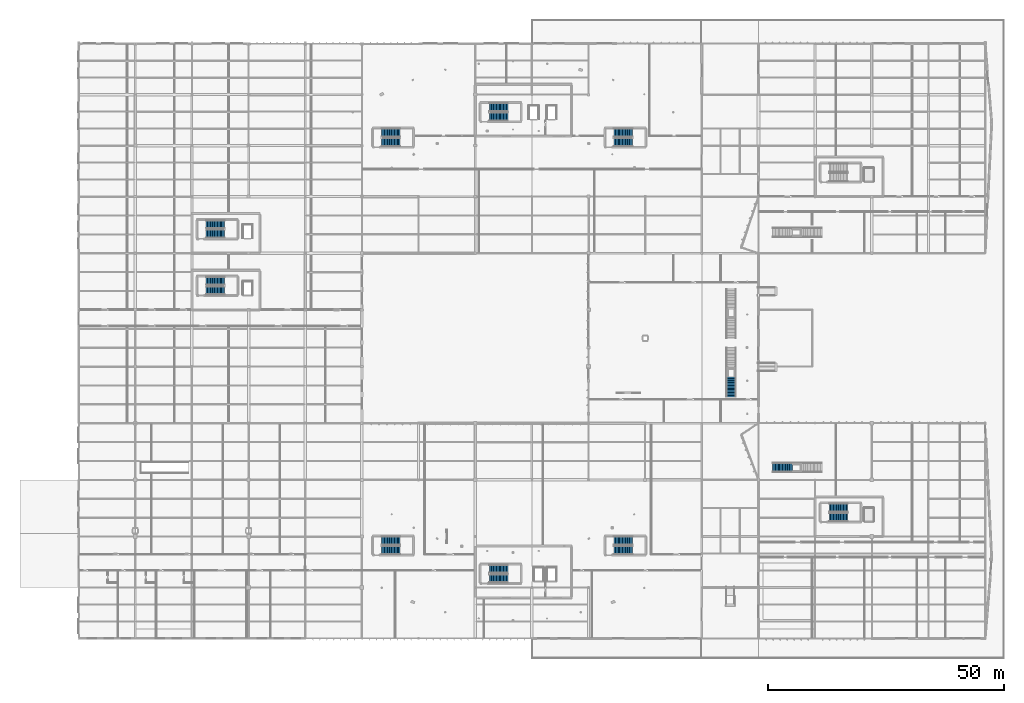
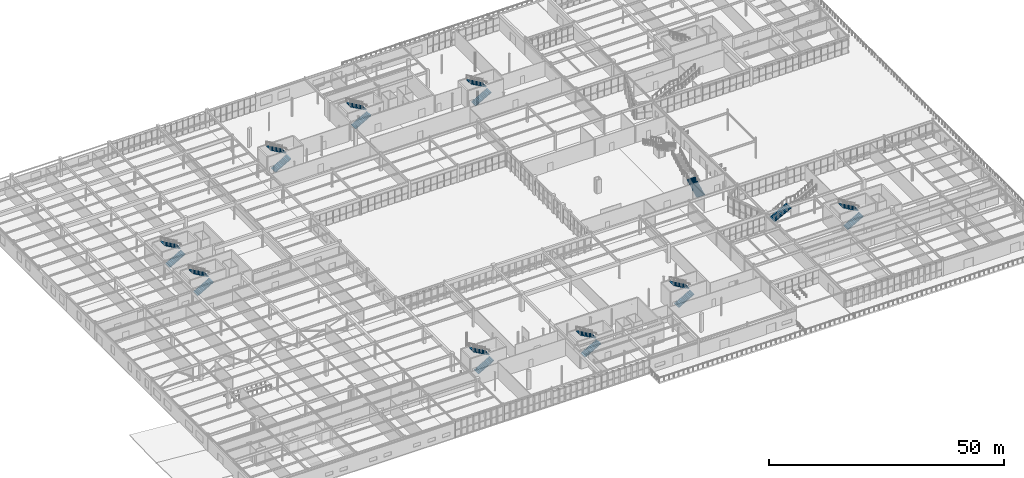
# One storey, part 174 of 199: 20 stair flights, 11 elements without a shape of their own.
"""IFC4 building model written with IfcOpenShell, lengths in metres."""

from ifc_helpers import new_model, si_unit, direction, frame, origin, place, context, subcontext, project, spatial, polyline, outline, extrude, material, type_object, element, aggregate, save


model = new_model("IFC4")

# Units and contexts
model_context = context("Model", 3, precision=1e-05, world=origin(), true_north=direction((0.0, 1.0)))
body_context = subcontext(model_context, "Body", "Model", "MODEL_VIEW")
ifc_project = project(units=[si_unit("LENGTHUNIT", "METRE"), si_unit("AREAUNIT", "SQUARE_METRE"), si_unit("VOLUMEUNIT", "CUBIC_METRE"), si_unit("PLANEANGLEUNIT", "RADIAN"), si_unit("MASSUNIT", "GRAM", prefix="KILO")], contexts=[model_context])

# Site, building, storey
site_placement = place(None, origin())
site = spatial("IfcSite", under=ifc_project, at=site_placement, CompositionType="ELEMENT")
building_placement = place(site_placement, origin())
building = spatial("IfcBuilding", under=site, at=building_placement, Name="Tarnwether General Hospital", CompositionType="ELEMENT")
storey_placement = place(building_placement, origin())
storey = spatial("IfcBuildingStorey", under=building, at=storey_placement, Name="L00", CompositionType="ELEMENT", Elevation=0.0)

# Stair, stair flights
ifc_material_1 = material(Name="Concrete 40 MPa", Category="concrete")
stair_type_1 = type_object("IfcStairType", Name="ST-DL48A", PredefinedType="HALF_TURN_STAIR", material=ifc_material_1)
stair_1_placement = place(storey_placement, origin())
stair_1 = element("IfcStair", 1, at=stair_1_placement, inside=storey, type_object=stair_type_1, Name="L00 Exit Stair ST-01", PredefinedType="HALF_TURN_STAIR")
ifc_material_2 = material(Name="Concrete 40 MPa", Category="concrete")
stair_flight_type_1 = type_object("IfcStairFlightType", Name="SF-48A", PredefinedType="STRAIGHT", material=ifc_material_2)
stair_flight_1_placement = place(storey_placement, frame((87.0, 110.5, 0.0), z_axis=(0.0, 0.0, 1.0), x_axis=(1.0, 0.0, 0.0)))
stair_flight_1 = element("IfcStairFlight", 2, at=stair_flight_1_placement, type_object=stair_flight_type_1, Name="ST-01 flight 1", NumberOfRisers=14, NumberOfTreads=13, PredefinedType="STRAIGHT", RiserHeight=0.171428571, TreadLength=0.3, context=body_context, shape_type="SweptSolid", body=[
    extrude(outline(polyline([(0.0, 0.0), (0.0, 0.17138671875), (0.300048828125, 0.17138671875), (0.300048828125, 0.3427734375), (0.60009765625, 0.3427734375), (0.60009765625, 0.514404296875), (0.89990234375, 0.514404296875), (0.89990234375, 0.685791015625), (1.199951171875, 0.685791015625), (1.199951171875, 0.857177734375), (1.5, 0.857177734375), (1.5, 1.028564453125), (1.800048828125, 1.028564453125), (1.800048828125, 1.199951171875), (2.10009765625, 1.199951171875), (2.10009765625, 1.371337890625), (2.39990234375, 1.371337890625), (2.39990234375, 1.54296875), (2.699951171875, 1.54296875), (2.699951171875, 1.71435546875), (3.0, 1.71435546875), (3.0, 1.8857421875), (3.300048828125, 1.8857421875), (3.300048828125, 2.05712890625), (3.60009765625, 2.05712890625), (3.60009765625, 2.228515625), (3.89990234375, 2.228515625), (3.89990234375, 2.39990234375), (3.89990234375, 2.055908203125), (0.30224609375, 0.0), (0.0, 0.0)])), frame((0.0, 0.89990234375, 0.0), z_axis=(0.0, -1.0, 0.0), x_axis=(1.0, 0.0, 0.0)), (0.0, 0.0, 1.0), 1.800048828125),
])
stair_flight_2_placement = place(storey_placement, frame((90.89990234375, 112.5, 2.39990234375), z_axis=(0.0, 0.0, 1.0), x_axis=(-1.0, 0.0, 0.0)))
stair_flight_2 = element("IfcStairFlight", 3, at=stair_flight_2_placement, type_object=stair_flight_type_1, Name="ST-01 flight 2", NumberOfRisers=14, NumberOfTreads=13, PredefinedType="STRAIGHT", RiserHeight=0.171428571, TreadLength=0.3, context=body_context, shape_type="SweptSolid", body=[
    extrude(outline(polyline([(0.0, 0.0), (0.0, 0.17138671875), (0.300048828125, 0.17138671875), (0.300048828125, 0.3427734375), (0.60009765625, 0.3427734375), (0.60009765625, 0.514404296875), (0.89990234375, 0.514404296875), (0.89990234375, 0.685791015625), (1.199951171875, 0.685791015625), (1.199951171875, 0.857177734375), (1.5, 0.857177734375), (1.5, 1.028564453125), (1.800048828125, 1.028564453125), (1.800048828125, 1.199951171875), (2.10009765625, 1.199951171875), (2.10009765625, 1.371337890625), (2.39990234375, 1.371337890625), (2.39990234375, 1.54296875), (2.699951171875, 1.54296875), (2.699951171875, 1.71435546875), (3.0, 1.71435546875), (3.0, 1.8857421875), (3.300048828125, 1.8857421875), (3.300048828125, 2.05712890625), (3.60009765625, 2.05712890625), (3.60009765625, 2.228515625), (3.89990234375, 2.228515625), (3.89990234375, 2.39990234375), (3.89990234375, 2.055908203125), (0.30224609375, 0.0), (0.0, 0.0)])), frame((0.0, 0.89990234375, 0.0), z_axis=(0.0, -1.0, 0.0), x_axis=(1.0, 0.0, 0.0)), (0.0, 0.0, 1.0), 1.800048828125),
])
aggregate(stair_1, [stair_flight_1, stair_flight_2])

stair_2_placement = place(storey_placement, origin())
stair_2 = element("IfcStair", 4, at=stair_2_placement, inside=storey, type_object=stair_type_1, Name="L00 Exit Stair ST-03", PredefinedType="HALF_TURN_STAIR")
stair_flight_3_placement = place(storey_placement, frame((27.0, 73.699951171875, 0.0), z_axis=(0.0, 0.0, 1.0), x_axis=(1.0, 0.0, 0.0)))
stair_flight_3 = element("IfcStairFlight", 5, at=stair_flight_3_placement, type_object=stair_flight_type_1, Name="ST-03 flight 1", NumberOfRisers=14, NumberOfTreads=13, PredefinedType="STRAIGHT", RiserHeight=0.171428571, TreadLength=0.3, context=body_context, shape_type="SweptSolid", body=[
    extrude(outline(polyline([(0.0, 0.0), (0.0, 0.17138671875), (0.300048828125, 0.17138671875), (0.300048828125, 0.3427734375), (0.60009765625, 0.3427734375), (0.60009765625, 0.514404296875), (0.89990234375, 0.514404296875), (0.89990234375, 0.685791015625), (1.199951171875, 0.685791015625), (1.199951171875, 0.857177734375), (1.5, 0.857177734375), (1.5, 1.028564453125), (1.800048828125, 1.028564453125), (1.800048828125, 1.199951171875), (2.10009765625, 1.199951171875), (2.10009765625, 1.371337890625), (2.39990234375, 1.371337890625), (2.39990234375, 1.54296875), (2.699951171875, 1.54296875), (2.699951171875, 1.71435546875), (3.0, 1.71435546875), (3.0, 1.8857421875), (3.300048828125, 1.8857421875), (3.300048828125, 2.05712890625), (3.60009765625, 2.05712890625), (3.60009765625, 2.228515625), (3.89990234375, 2.228515625), (3.89990234375, 2.39990234375), (3.89990234375, 2.055908203125), (0.30224609375, 0.0), (0.0, 0.0)])), frame((0.0, 0.89990234375, 0.0), z_axis=(0.0, -1.0, 0.0), x_axis=(1.0, 0.0, 0.0)), (0.0, 0.0, 1.0), 1.800048828125),
])
stair_flight_4_placement = place(storey_placement, frame((30.89990234375, 75.699951171875, 2.39990234375), z_axis=(0.0, 0.0, 1.0), x_axis=(-1.0, 0.0, 0.0)))
stair_flight_4 = element("IfcStairFlight", 6, at=stair_flight_4_placement, type_object=stair_flight_type_1, Name="ST-03 flight 2", NumberOfRisers=14, NumberOfTreads=13, PredefinedType="STRAIGHT", RiserHeight=0.171428571, TreadLength=0.3, context=body_context, shape_type="SweptSolid", body=[
    extrude(outline(polyline([(0.0, 0.0), (0.0, 0.17138671875), (0.300048828125, 0.17138671875), (0.300048828125, 0.3427734375), (0.60009765625, 0.3427734375), (0.60009765625, 0.514404296875), (0.89990234375, 0.514404296875), (0.89990234375, 0.685791015625), (1.199951171875, 0.685791015625), (1.199951171875, 0.857177734375), (1.5, 0.857177734375), (1.5, 1.028564453125), (1.800048828125, 1.028564453125), (1.800048828125, 1.199951171875), (2.10009765625, 1.199951171875), (2.10009765625, 1.371337890625), (2.39990234375, 1.371337890625), (2.39990234375, 1.54296875), (2.699951171875, 1.54296875), (2.699951171875, 1.71435546875), (3.0, 1.71435546875), (3.0, 1.8857421875), (3.300048828125, 1.8857421875), (3.300048828125, 2.05712890625), (3.60009765625, 2.05712890625), (3.60009765625, 2.228515625), (3.89990234375, 2.228515625), (3.89990234375, 2.39990234375), (3.89990234375, 2.055908203125), (0.30224609375, 0.0), (0.0, 0.0)])), frame((0.0, 0.89990234375, 0.0), z_axis=(0.0, -1.0, 0.0), x_axis=(1.0, 0.0, 0.0)), (0.0, 0.0, 1.0), 1.800048828125),
])
aggregate(stair_2, [stair_flight_3, stair_flight_4])

stair_3_placement = place(storey_placement, origin())
stair_3 = element("IfcStair", 7, at=stair_3_placement, inside=storey, type_object=stair_type_1, Name="L00 Exit Stair ST-05", PredefinedType="HALF_TURN_STAIR")
stair_flight_5_placement = place(storey_placement, frame((159.0, 25.699951171875, 0.0), z_axis=(0.0, 0.0, 1.0), x_axis=(1.0, 0.0, 0.0)))
stair_flight_5 = element("IfcStairFlight", 8, at=stair_flight_5_placement, type_object=stair_flight_type_1, Name="ST-05 flight 1", NumberOfRisers=14, NumberOfTreads=13, PredefinedType="STRAIGHT", RiserHeight=0.171428571, TreadLength=0.3, context=body_context, shape_type="SweptSolid", body=[
    extrude(outline(polyline([(0.0, 0.0), (0.0, 0.17138671875), (0.300048828125, 0.17138671875), (0.300048828125, 0.3427734375), (0.60009765625, 0.3427734375), (0.60009765625, 0.514404296875), (0.89990234375, 0.514404296875), (0.89990234375, 0.685791015625), (1.199951171875, 0.685791015625), (1.199951171875, 0.857177734375), (1.5, 0.857177734375), (1.5, 1.028564453125), (1.800048828125, 1.028564453125), (1.800048828125, 1.199951171875), (2.10009765625, 1.199951171875), (2.10009765625, 1.371337890625), (2.39990234375, 1.371337890625), (2.39990234375, 1.54296875), (2.699951171875, 1.54296875), (2.699951171875, 1.71435546875), (3.0, 1.71435546875), (3.0, 1.8857421875), (3.300048828125, 1.8857421875), (3.300048828125, 2.05712890625), (3.60009765625, 2.05712890625), (3.60009765625, 2.228515625), (3.89990234375, 2.228515625), (3.89990234375, 2.39990234375), (3.89990234375, 2.055908203125), (0.30224609375, 0.0), (0.0, 0.0)])), frame((0.0, 0.89990234375, 0.0), z_axis=(0.0, -1.0, 0.0), x_axis=(1.0, 0.0, 0.0)), (0.0, 0.0, 1.0), 1.800048828125),
])
stair_flight_6_placement = place(storey_placement, frame((162.89990234375, 27.699951171875, 2.39990234375), z_axis=(0.0, 0.0, 1.0), x_axis=(-1.0, 0.0, 0.0)))
stair_flight_6 = element("IfcStairFlight", 9, at=stair_flight_6_placement, type_object=stair_flight_type_1, Name="ST-05 flight 2", NumberOfRisers=14, NumberOfTreads=13, PredefinedType="STRAIGHT", RiserHeight=0.171428571, TreadLength=0.3, context=body_context, shape_type="SweptSolid", body=[
    extrude(outline(polyline([(0.0, 0.0), (0.0, 0.17138671875), (0.300048828125, 0.17138671875), (0.300048828125, 0.3427734375), (0.60009765625, 0.3427734375), (0.60009765625, 0.514404296875), (0.89990234375, 0.514404296875), (0.89990234375, 0.685791015625), (1.199951171875, 0.685791015625), (1.199951171875, 0.857177734375), (1.5, 0.857177734375), (1.5, 1.028564453125), (1.800048828125, 1.028564453125), (1.800048828125, 1.199951171875), (2.10009765625, 1.199951171875), (2.10009765625, 1.371337890625), (2.39990234375, 1.371337890625), (2.39990234375, 1.54296875), (2.699951171875, 1.54296875), (2.699951171875, 1.71435546875), (3.0, 1.71435546875), (3.0, 1.8857421875), (3.300048828125, 1.8857421875), (3.300048828125, 2.05712890625), (3.60009765625, 2.05712890625), (3.60009765625, 2.228515625), (3.89990234375, 2.228515625), (3.89990234375, 2.39990234375), (3.89990234375, 2.055908203125), (0.30224609375, 0.0), (0.0, 0.0)])), frame((0.0, 0.89990234375, 0.0), z_axis=(0.0, -1.0, 0.0), x_axis=(1.0, 0.0, 0.0)), (0.0, 0.0, 1.0), 1.800048828125),
])
aggregate(stair_3, [stair_flight_5, stair_flight_6])

stair_4_placement = place(storey_placement, origin())
stair_4 = element("IfcStair", 10, at=stair_4_placement, inside=storey, type_object=stair_type_1, Name="L00 Exit Stair ST-07", PredefinedType="HALF_TURN_STAIR")
stair_flight_7_placement = place(storey_placement, frame((64.199951171875, 105.10009765625, 0.0), z_axis=(0.0, 0.0, 1.0), x_axis=(1.0, 0.0, 0.0)))
stair_flight_7 = element("IfcStairFlight", 11, at=stair_flight_7_placement, type_object=stair_flight_type_1, Name="ST-07 flight 1", NumberOfRisers=14, NumberOfTreads=13, PredefinedType="STRAIGHT", RiserHeight=0.171428571, TreadLength=0.3, context=body_context, shape_type="SweptSolid", body=[
    extrude(outline(polyline([(0.0, 0.0), (0.0, 0.17138671875), (0.300048828125, 0.17138671875), (0.300048828125, 0.3427734375), (0.60009765625, 0.3427734375), (0.60009765625, 0.514404296875), (0.89990234375, 0.514404296875), (0.89990234375, 0.685791015625), (1.199951171875, 0.685791015625), (1.199951171875, 0.857177734375), (1.5, 0.857177734375), (1.5, 1.028564453125), (1.800048828125, 1.028564453125), (1.800048828125, 1.199951171875), (2.10009765625, 1.199951171875), (2.10009765625, 1.371337890625), (2.39990234375, 1.371337890625), (2.39990234375, 1.54296875), (2.699951171875, 1.54296875), (2.699951171875, 1.71435546875), (3.0, 1.71435546875), (3.0, 1.8857421875), (3.300048828125, 1.8857421875), (3.300048828125, 2.05712890625), (3.60009765625, 2.05712890625), (3.60009765625, 2.228515625), (3.89990234375, 2.228515625), (3.89990234375, 2.39990234375), (3.89990234375, 2.055908203125), (0.30224609375, 0.0), (0.0, 0.0)])), frame((0.0, 0.89990234375, 0.0), z_axis=(0.0, -1.0, 0.0), x_axis=(1.0, 0.0, 0.0)), (0.0, 0.0, 1.0), 1.800048828125),
])
stair_flight_8_placement = place(storey_placement, frame((68.10009765625, 107.10009765625, 2.39990234375), z_axis=(0.0, 0.0, 1.0), x_axis=(-1.0, 0.0, 0.0)))
stair_flight_8 = element("IfcStairFlight", 12, at=stair_flight_8_placement, type_object=stair_flight_type_1, Name="ST-07 flight 2", NumberOfRisers=14, NumberOfTreads=13, PredefinedType="STRAIGHT", RiserHeight=0.171428571, TreadLength=0.3, context=body_context, shape_type="SweptSolid", body=[
    extrude(outline(polyline([(0.0, 0.0), (0.0, 0.17138671875), (0.300048828125, 0.17138671875), (0.300048828125, 0.3427734375), (0.60009765625, 0.3427734375), (0.60009765625, 0.514404296875), (0.89990234375, 0.514404296875), (0.89990234375, 0.685791015625), (1.199951171875, 0.685791015625), (1.199951171875, 0.857177734375), (1.5, 0.857177734375), (1.5, 1.028564453125), (1.800048828125, 1.028564453125), (1.800048828125, 1.199951171875), (2.10009765625, 1.199951171875), (2.10009765625, 1.371337890625), (2.39990234375, 1.371337890625), (2.39990234375, 1.54296875), (2.699951171875, 1.54296875), (2.699951171875, 1.71435546875), (3.0, 1.71435546875), (3.0, 1.8857421875), (3.300048828125, 1.8857421875), (3.300048828125, 2.05712890625), (3.60009765625, 2.05712890625), (3.60009765625, 2.228515625), (3.89990234375, 2.228515625), (3.89990234375, 2.39990234375), (3.89990234375, 2.055908203125), (0.30224609375, 0.0), (0.0, 0.0)])), frame((0.0, 0.89990234375, 0.0), z_axis=(0.0, -1.0, 0.0), x_axis=(1.0, 0.0, 0.0)), (0.0, 0.0, 1.0), 1.800048828125),
])
aggregate(stair_4, [stair_flight_7, stair_flight_8])

stair_5_placement = place(storey_placement, origin())
stair_5 = element("IfcStair", 13, at=stair_5_placement, inside=storey, type_object=stair_type_1, Name="L00 Exit Stair ST-09", PredefinedType="HALF_TURN_STAIR")
stair_flight_9_placement = place(storey_placement, frame((64.199951171875, 18.699951171875, 0.0), z_axis=(0.0, 0.0, 1.0), x_axis=(1.0, 0.0, 0.0)))
stair_flight_9 = element("IfcStairFlight", 14, at=stair_flight_9_placement, type_object=stair_flight_type_1, Name="ST-09 flight 1", NumberOfRisers=14, NumberOfTreads=13, PredefinedType="STRAIGHT", RiserHeight=0.171428571, TreadLength=0.3, context=body_context, shape_type="SweptSolid", body=[
    extrude(outline(polyline([(0.0, 0.0), (0.0, 0.17138671875), (0.300048828125, 0.17138671875), (0.300048828125, 0.3427734375), (0.60009765625, 0.3427734375), (0.60009765625, 0.514404296875), (0.89990234375, 0.514404296875), (0.89990234375, 0.685791015625), (1.199951171875, 0.685791015625), (1.199951171875, 0.857177734375), (1.5, 0.857177734375), (1.5, 1.028564453125), (1.800048828125, 1.028564453125), (1.800048828125, 1.199951171875), (2.10009765625, 1.199951171875), (2.10009765625, 1.371337890625), (2.39990234375, 1.371337890625), (2.39990234375, 1.54296875), (2.699951171875, 1.54296875), (2.699951171875, 1.71435546875), (3.0, 1.71435546875), (3.0, 1.8857421875), (3.300048828125, 1.8857421875), (3.300048828125, 2.05712890625), (3.60009765625, 2.05712890625), (3.60009765625, 2.228515625), (3.89990234375, 2.228515625), (3.89990234375, 2.39990234375), (3.89990234375, 2.055908203125), (0.30224609375, 0.0), (0.0, 0.0)])), frame((0.0, 0.89990234375, 0.0), z_axis=(0.0, -1.0, 0.0), x_axis=(1.0, 0.0, 0.0)), (0.0, 0.0, 1.0), 1.800048828125),
])
stair_flight_10_placement = place(storey_placement, frame((68.10009765625, 20.699951171875, 2.39990234375), z_axis=(0.0, 0.0, 1.0), x_axis=(-1.0, 0.0, 0.0)))
stair_flight_10 = element("IfcStairFlight", 15, at=stair_flight_10_placement, type_object=stair_flight_type_1, Name="ST-09 flight 2", NumberOfRisers=14, NumberOfTreads=13, PredefinedType="STRAIGHT", RiserHeight=0.171428571, TreadLength=0.3, context=body_context, shape_type="SweptSolid", body=[
    extrude(outline(polyline([(0.0, 0.0), (0.0, 0.17138671875), (0.300048828125, 0.17138671875), (0.300048828125, 0.3427734375), (0.60009765625, 0.3427734375), (0.60009765625, 0.514404296875), (0.89990234375, 0.514404296875), (0.89990234375, 0.685791015625), (1.199951171875, 0.685791015625), (1.199951171875, 0.857177734375), (1.5, 0.857177734375), (1.5, 1.028564453125), (1.800048828125, 1.028564453125), (1.800048828125, 1.199951171875), (2.10009765625, 1.199951171875), (2.10009765625, 1.371337890625), (2.39990234375, 1.371337890625), (2.39990234375, 1.54296875), (2.699951171875, 1.54296875), (2.699951171875, 1.71435546875), (3.0, 1.71435546875), (3.0, 1.8857421875), (3.300048828125, 1.8857421875), (3.300048828125, 2.05712890625), (3.60009765625, 2.05712890625), (3.60009765625, 2.228515625), (3.89990234375, 2.228515625), (3.89990234375, 2.39990234375), (3.89990234375, 2.055908203125), (0.30224609375, 0.0), (0.0, 0.0)])), frame((0.0, 0.89990234375, 0.0), z_axis=(0.0, -1.0, 0.0), x_axis=(1.0, 0.0, 0.0)), (0.0, 0.0, 1.0), 1.800048828125),
])
aggregate(stair_5, [stair_flight_9, stair_flight_10])

ifc_material_3 = material(Name="Concrete 40 MPa", Category="concrete")
stair_type_2 = type_object("IfcStairType", Name="ST-DL48B", PredefinedType="HALF_TURN_STAIR", material=ifc_material_3)
stair_6_placement = place(storey_placement, origin())
stair_6 = element("IfcStair", 16, at=stair_6_placement, inside=storey, type_object=stair_type_2, Name="L00 Exit Stair ST-02", PredefinedType="HALF_TURN_STAIR")
ifc_material_4 = material(Name="Concrete 40 MPa", Category="concrete")
stair_flight_type_2 = type_object("IfcStairFlightType", Name="SF-48B", PredefinedType="STRAIGHT", material=ifc_material_4)
stair_flight_11_placement = place(storey_placement, frame((87.0, 12.699951171875, 0.0), z_axis=(0.0, 0.0, 1.0), x_axis=(1.0, 0.0, 0.0)))
stair_flight_11 = element("IfcStairFlight", 17, at=stair_flight_11_placement, type_object=stair_flight_type_2, Name="ST-02 flight 1", NumberOfRisers=14, NumberOfTreads=13, PredefinedType="STRAIGHT", RiserHeight=0.171428571, TreadLength=0.3, context=body_context, shape_type="SweptSolid", body=[
    extrude(outline(polyline([(0.0, 0.0), (0.0, 0.17138671875), (0.300048828125, 0.17138671875), (0.300048828125, 0.3427734375), (0.60009765625, 0.3427734375), (0.60009765625, 0.514404296875), (0.89990234375, 0.514404296875), (0.89990234375, 0.685791015625), (1.199951171875, 0.685791015625), (1.199951171875, 0.857177734375), (1.5, 0.857177734375), (1.5, 1.028564453125), (1.800048828125, 1.028564453125), (1.800048828125, 1.199951171875), (2.10009765625, 1.199951171875), (2.10009765625, 1.371337890625), (2.39990234375, 1.371337890625), (2.39990234375, 1.54296875), (2.699951171875, 1.54296875), (2.699951171875, 1.71435546875), (3.0, 1.71435546875), (3.0, 1.8857421875), (3.300048828125, 1.8857421875), (3.300048828125, 2.05712890625), (3.60009765625, 2.05712890625), (3.60009765625, 2.228515625), (3.89990234375, 2.228515625), (3.89990234375, 2.39990234375), (3.89990234375, 2.055908203125), (0.30224609375, 0.0), (0.0, 0.0)])), frame((0.0, 0.89990234375, 0.0), z_axis=(0.0, -1.0, 0.0), x_axis=(1.0, 0.0, 0.0)), (0.0, 0.0, 1.0), 1.800048828125),
])
stair_flight_12_placement = place(storey_placement, frame((90.89990234375, 14.699951171875, 2.39990234375), z_axis=(0.0, 0.0, 1.0), x_axis=(-1.0, 0.0, 0.0)))
stair_flight_12 = element("IfcStairFlight", 18, at=stair_flight_12_placement, type_object=stair_flight_type_2, Name="ST-02 flight 2", NumberOfRisers=14, NumberOfTreads=13, PredefinedType="STRAIGHT", RiserHeight=0.171428571, TreadLength=0.3, context=body_context, shape_type="SweptSolid", body=[
    extrude(outline(polyline([(0.0, 0.0), (0.0, 0.17138671875), (0.300048828125, 0.17138671875), (0.300048828125, 0.3427734375), (0.60009765625, 0.3427734375), (0.60009765625, 0.514404296875), (0.89990234375, 0.514404296875), (0.89990234375, 0.685791015625), (1.199951171875, 0.685791015625), (1.199951171875, 0.857177734375), (1.5, 0.857177734375), (1.5, 1.028564453125), (1.800048828125, 1.028564453125), (1.800048828125, 1.199951171875), (2.10009765625, 1.199951171875), (2.10009765625, 1.371337890625), (2.39990234375, 1.371337890625), (2.39990234375, 1.54296875), (2.699951171875, 1.54296875), (2.699951171875, 1.71435546875), (3.0, 1.71435546875), (3.0, 1.8857421875), (3.300048828125, 1.8857421875), (3.300048828125, 2.05712890625), (3.60009765625, 2.05712890625), (3.60009765625, 2.228515625), (3.89990234375, 2.228515625), (3.89990234375, 2.39990234375), (3.89990234375, 2.055908203125), (0.30224609375, 0.0), (0.0, 0.0)])), frame((0.0, 0.89990234375, 0.0), z_axis=(0.0, -1.0, 0.0), x_axis=(1.0, 0.0, 0.0)), (0.0, 0.0, 1.0), 1.800048828125),
])
aggregate(stair_6, [stair_flight_11, stair_flight_12])

stair_7_placement = place(storey_placement, origin())
stair_7 = element("IfcStair", 19, at=stair_7_placement, inside=storey, type_object=stair_type_2, Name="L00 Exit Stair ST-04", PredefinedType="HALF_TURN_STAIR")
stair_flight_13_placement = place(storey_placement, frame((27.0, 85.699951171875, 0.0), z_axis=(0.0, 0.0, 1.0), x_axis=(1.0, 0.0, 0.0)))
stair_flight_13 = element("IfcStairFlight", 20, at=stair_flight_13_placement, type_object=stair_flight_type_2, Name="ST-04 flight 1", NumberOfRisers=14, NumberOfTreads=13, PredefinedType="STRAIGHT", RiserHeight=0.171428571, TreadLength=0.3, context=body_context, shape_type="SweptSolid", body=[
    extrude(outline(polyline([(0.0, 0.0), (0.0, 0.17138671875), (0.300048828125, 0.17138671875), (0.300048828125, 0.3427734375), (0.60009765625, 0.3427734375), (0.60009765625, 0.514404296875), (0.89990234375, 0.514404296875), (0.89990234375, 0.685791015625), (1.199951171875, 0.685791015625), (1.199951171875, 0.857177734375), (1.5, 0.857177734375), (1.5, 1.028564453125), (1.800048828125, 1.028564453125), (1.800048828125, 1.199951171875), (2.10009765625, 1.199951171875), (2.10009765625, 1.371337890625), (2.39990234375, 1.371337890625), (2.39990234375, 1.54296875), (2.699951171875, 1.54296875), (2.699951171875, 1.71435546875), (3.0, 1.71435546875), (3.0, 1.8857421875), (3.300048828125, 1.8857421875), (3.300048828125, 2.05712890625), (3.60009765625, 2.05712890625), (3.60009765625, 2.228515625), (3.89990234375, 2.228515625), (3.89990234375, 2.39990234375), (3.89990234375, 2.055908203125), (0.30224609375, 0.0), (0.0, 0.0)])), frame((0.0, 0.89990234375, 0.0), z_axis=(0.0, -1.0, 0.0), x_axis=(1.0, 0.0, 0.0)), (0.0, 0.0, 1.0), 1.800048828125),
])
stair_flight_14_placement = place(storey_placement, frame((30.89990234375, 87.699951171875, 2.39990234375), z_axis=(0.0, 0.0, 1.0), x_axis=(-1.0, 0.0, 0.0)))
stair_flight_14 = element("IfcStairFlight", 21, at=stair_flight_14_placement, type_object=stair_flight_type_2, Name="ST-04 flight 2", NumberOfRisers=14, NumberOfTreads=13, PredefinedType="STRAIGHT", RiserHeight=0.171428571, TreadLength=0.3, context=body_context, shape_type="SweptSolid", body=[
    extrude(outline(polyline([(0.0, 0.0), (0.0, 0.17138671875), (0.300048828125, 0.17138671875), (0.300048828125, 0.3427734375), (0.60009765625, 0.3427734375), (0.60009765625, 0.514404296875), (0.89990234375, 0.514404296875), (0.89990234375, 0.685791015625), (1.199951171875, 0.685791015625), (1.199951171875, 0.857177734375), (1.5, 0.857177734375), (1.5, 1.028564453125), (1.800048828125, 1.028564453125), (1.800048828125, 1.199951171875), (2.10009765625, 1.199951171875), (2.10009765625, 1.371337890625), (2.39990234375, 1.371337890625), (2.39990234375, 1.54296875), (2.699951171875, 1.54296875), (2.699951171875, 1.71435546875), (3.0, 1.71435546875), (3.0, 1.8857421875), (3.300048828125, 1.8857421875), (3.300048828125, 2.05712890625), (3.60009765625, 2.05712890625), (3.60009765625, 2.228515625), (3.89990234375, 2.228515625), (3.89990234375, 2.39990234375), (3.89990234375, 2.055908203125), (0.30224609375, 0.0), (0.0, 0.0)])), frame((0.0, 0.89990234375, 0.0), z_axis=(0.0, -1.0, 0.0), x_axis=(1.0, 0.0, 0.0)), (0.0, 0.0, 1.0), 1.800048828125),
])
aggregate(stair_7, [stair_flight_13, stair_flight_14])

stair_8_placement = place(storey_placement, origin())
stair_8 = element("IfcStair", 22, at=stair_8_placement, inside=storey, type_object=stair_type_2, Name="L00 Exit Stair ST-08", PredefinedType="HALF_TURN_STAIR")
stair_flight_15_placement = place(storey_placement, frame((113.39990234375, 105.10009765625, 0.0), z_axis=(0.0, 0.0, 1.0), x_axis=(1.0, 0.0, 0.0)))
stair_flight_15 = element("IfcStairFlight", 23, at=stair_flight_15_placement, type_object=stair_flight_type_2, Name="ST-08 flight 1", NumberOfRisers=14, NumberOfTreads=13, PredefinedType="STRAIGHT", RiserHeight=0.171428571, TreadLength=0.3, context=body_context, shape_type="SweptSolid", body=[
    extrude(outline(polyline([(0.0, 0.0), (0.0, 0.17138671875), (0.300048828125, 0.17138671875), (0.300048828125, 0.3427734375), (0.60009765625, 0.3427734375), (0.60009765625, 0.514404296875), (0.89990234375, 0.514404296875), (0.89990234375, 0.685791015625), (1.199951171875, 0.685791015625), (1.199951171875, 0.857177734375), (1.5, 0.857177734375), (1.5, 1.028564453125), (1.800048828125, 1.028564453125), (1.800048828125, 1.199951171875), (2.10009765625, 1.199951171875), (2.10009765625, 1.371337890625), (2.39990234375, 1.371337890625), (2.39990234375, 1.54296875), (2.699951171875, 1.54296875), (2.699951171875, 1.71435546875), (3.0, 1.71435546875), (3.0, 1.8857421875), (3.300048828125, 1.8857421875), (3.300048828125, 2.05712890625), (3.60009765625, 2.05712890625), (3.60009765625, 2.228515625), (3.89990234375, 2.228515625), (3.89990234375, 2.39990234375), (3.89990234375, 2.055908203125), (0.30224609375, 0.0), (0.0, 0.0)])), frame((0.0, 0.89990234375, 0.0), z_axis=(0.0, -1.0, 0.0), x_axis=(1.0, 0.0, 0.0)), (0.0, 0.0, 1.0), 1.800048828125),
])
stair_flight_16_placement = place(storey_placement, frame((117.300048828125, 107.10009765625, 2.39990234375), z_axis=(0.0, 0.0, 1.0), x_axis=(-1.0, 0.0, 0.0)))
stair_flight_16 = element("IfcStairFlight", 24, at=stair_flight_16_placement, type_object=stair_flight_type_2, Name="ST-08 flight 2", NumberOfRisers=14, NumberOfTreads=13, PredefinedType="STRAIGHT", RiserHeight=0.171428571, TreadLength=0.3, context=body_context, shape_type="SweptSolid", body=[
    extrude(outline(polyline([(0.0, 0.0), (0.0, 0.17138671875), (0.300048828125, 0.17138671875), (0.300048828125, 0.3427734375), (0.60009765625, 0.3427734375), (0.60009765625, 0.514404296875), (0.89990234375, 0.514404296875), (0.89990234375, 0.685791015625), (1.199951171875, 0.685791015625), (1.199951171875, 0.857177734375), (1.5, 0.857177734375), (1.5, 1.028564453125), (1.800048828125, 1.028564453125), (1.800048828125, 1.199951171875), (2.10009765625, 1.199951171875), (2.10009765625, 1.371337890625), (2.39990234375, 1.371337890625), (2.39990234375, 1.54296875), (2.699951171875, 1.54296875), (2.699951171875, 1.71435546875), (3.0, 1.71435546875), (3.0, 1.8857421875), (3.300048828125, 1.8857421875), (3.300048828125, 2.05712890625), (3.60009765625, 2.05712890625), (3.60009765625, 2.228515625), (3.89990234375, 2.228515625), (3.89990234375, 2.39990234375), (3.89990234375, 2.055908203125), (0.30224609375, 0.0), (0.0, 0.0)])), frame((0.0, 0.89990234375, 0.0), z_axis=(0.0, -1.0, 0.0), x_axis=(1.0, 0.0, 0.0)), (0.0, 0.0, 1.0), 1.800048828125),
])
aggregate(stair_8, [stair_flight_15, stair_flight_16])

stair_9_placement = place(storey_placement, origin())
stair_9 = element("IfcStair", 25, at=stair_9_placement, inside=storey, type_object=stair_type_2, Name="L00 Exit Stair ST-10", PredefinedType="HALF_TURN_STAIR")
stair_flight_17_placement = place(storey_placement, frame((113.39990234375, 18.699951171875, 0.0), z_axis=(0.0, 0.0, 1.0), x_axis=(1.0, 0.0, 0.0)))
stair_flight_17 = element("IfcStairFlight", 26, at=stair_flight_17_placement, type_object=stair_flight_type_2, Name="ST-10 flight 1", NumberOfRisers=14, NumberOfTreads=13, PredefinedType="STRAIGHT", RiserHeight=0.171428571, TreadLength=0.3, context=body_context, shape_type="SweptSolid", body=[
    extrude(outline(polyline([(0.0, 0.0), (0.0, 0.17138671875), (0.300048828125, 0.17138671875), (0.300048828125, 0.3427734375), (0.60009765625, 0.3427734375), (0.60009765625, 0.514404296875), (0.89990234375, 0.514404296875), (0.89990234375, 0.685791015625), (1.199951171875, 0.685791015625), (1.199951171875, 0.857177734375), (1.5, 0.857177734375), (1.5, 1.028564453125), (1.800048828125, 1.028564453125), (1.800048828125, 1.199951171875), (2.10009765625, 1.199951171875), (2.10009765625, 1.371337890625), (2.39990234375, 1.371337890625), (2.39990234375, 1.54296875), (2.699951171875, 1.54296875), (2.699951171875, 1.71435546875), (3.0, 1.71435546875), (3.0, 1.8857421875), (3.300048828125, 1.8857421875), (3.300048828125, 2.05712890625), (3.60009765625, 2.05712890625), (3.60009765625, 2.228515625), (3.89990234375, 2.228515625), (3.89990234375, 2.39990234375), (3.89990234375, 2.055908203125), (0.30224609375, 0.0), (0.0, 0.0)])), frame((0.0, 0.89990234375, 0.0), z_axis=(0.0, -1.0, 0.0), x_axis=(1.0, 0.0, 0.0)), (0.0, 0.0, 1.0), 1.800048828125),
])
stair_flight_18_placement = place(storey_placement, frame((117.300048828125, 20.699951171875, 2.39990234375), z_axis=(0.0, 0.0, 1.0), x_axis=(-1.0, 0.0, 0.0)))
stair_flight_18 = element("IfcStairFlight", 27, at=stair_flight_18_placement, type_object=stair_flight_type_2, Name="ST-10 flight 2", NumberOfRisers=14, NumberOfTreads=13, PredefinedType="STRAIGHT", RiserHeight=0.171428571, TreadLength=0.3, context=body_context, shape_type="SweptSolid", body=[
    extrude(outline(polyline([(0.0, 0.0), (0.0, 0.17138671875), (0.300048828125, 0.17138671875), (0.300048828125, 0.3427734375), (0.60009765625, 0.3427734375), (0.60009765625, 0.514404296875), (0.89990234375, 0.514404296875), (0.89990234375, 0.685791015625), (1.199951171875, 0.685791015625), (1.199951171875, 0.857177734375), (1.5, 0.857177734375), (1.5, 1.028564453125), (1.800048828125, 1.028564453125), (1.800048828125, 1.199951171875), (2.10009765625, 1.199951171875), (2.10009765625, 1.371337890625), (2.39990234375, 1.371337890625), (2.39990234375, 1.54296875), (2.699951171875, 1.54296875), (2.699951171875, 1.71435546875), (3.0, 1.71435546875), (3.0, 1.8857421875), (3.300048828125, 1.8857421875), (3.300048828125, 2.05712890625), (3.60009765625, 2.05712890625), (3.60009765625, 2.228515625), (3.89990234375, 2.228515625), (3.89990234375, 2.39990234375), (3.89990234375, 2.055908203125), (0.30224609375, 0.0), (0.0, 0.0)])), frame((0.0, 0.89990234375, 0.0), z_axis=(0.0, -1.0, 0.0), x_axis=(1.0, 0.0, 0.0)), (0.0, 0.0, 1.0), 1.800048828125),
])
aggregate(stair_9, [stair_flight_17, stair_flight_18])

# Stair, stair flight
ifc_material_5 = material(Name="Concrete 40 MPa", Category="concrete")
stair_type_3 = type_object("IfcStairType", Name="ST-SR48", PredefinedType="STRAIGHT_RUN_STAIR", material=ifc_material_5)
stair_10_placement = place(storey_placement, origin())
stair_10 = element("IfcStair", 28, at=stair_10_placement, inside=storey, type_object=stair_type_3, Name="Feature Straight Stair ST-11", PredefinedType="STRAIGHT_RUN_STAIR")
ifc_material_6 = material(Name="Concrete 40 MPa", Category="concrete")
stair_flight_type_3 = type_object("IfcStairFlightType", Name="SF-SR48", PredefinedType="STRAIGHT", material=ifc_material_6)
stair_flight_19_placement = place(storey_placement, frame((138.199951171875, 51.199951171875, 0.0), z_axis=(0.0, 0.0, 1.0), x_axis=(0.0, 1.0, 0.0)))
stair_flight_19 = element("IfcStairFlight", 29, at=stair_flight_19_placement, type_object=stair_flight_type_3, Name="ST-11 flight 1", NumberOfRisers=15, NumberOfTreads=14, PredefinedType="STRAIGHT", RiserHeight=0.16, TreadLength=0.3, context=body_context, shape_type="SweptSolid", body=[
    extrude(outline(polyline([(0.0, 0.0), (0.0, 0.159912109375), (0.300048828125, 0.159912109375), (0.300048828125, 0.320068359375), (0.60009765625, 0.320068359375), (0.60009765625, 0.47998046875), (0.89990234375, 0.47998046875), (0.89990234375, 0.639892578125), (1.199951171875, 0.639892578125), (1.199951171875, 0.800048828125), (1.5, 0.800048828125), (1.5, 0.9599609375), (1.800048828125, 0.9599609375), (1.800048828125, 1.1201171875), (2.10009765625, 1.1201171875), (2.10009765625, 1.280029296875), (2.39990234375, 1.280029296875), (2.39990234375, 1.43994140625), (2.699951171875, 1.43994140625), (2.699951171875, 1.60009765625), (3.0, 1.60009765625), (3.0, 1.760009765625), (3.300048828125, 1.760009765625), (3.300048828125, 1.919921875), (3.60009765625, 1.919921875), (3.60009765625, 2.080078125), (3.89990234375, 2.080078125), (3.89990234375, 2.239990234375), (4.199951171875, 2.239990234375), (4.199951171875, 2.39990234375), (4.199951171875, 2.058837890625), (0.33984375, 0.0), (0.0, 0.0)])), frame((0.0, 1.0, 0.0), z_axis=(0.0, -1.0, 0.0), x_axis=(1.0, 0.0, 0.0)), (0.0, 0.0, 1.0), 2.0),
])
aggregate(stair_10, [stair_flight_19])

stair_11_placement = place(storey_placement, origin())
stair_11 = element("IfcStair", 30, at=stair_11_placement, inside=storey, type_object=stair_type_3, Name="Feature Straight Stair ST-13", PredefinedType="STRAIGHT_RUN_STAIR")
stair_flight_20_placement = place(storey_placement, frame((147.0, 36.199951171875, 0.0), z_axis=(0.0, 0.0, 1.0), x_axis=(1.0, 0.0, 0.0)))
stair_flight_20 = element("IfcStairFlight", 31, at=stair_flight_20_placement, type_object=stair_flight_type_3, Name="ST-13 flight 1", NumberOfRisers=15, NumberOfTreads=14, PredefinedType="STRAIGHT", RiserHeight=0.16, TreadLength=0.3, context=body_context, shape_type="SweptSolid", body=[
    extrude(outline(polyline([(0.0, 0.0), (0.0, 0.159912109375), (0.300048828125, 0.159912109375), (0.300048828125, 0.320068359375), (0.60009765625, 0.320068359375), (0.60009765625, 0.47998046875), (0.89990234375, 0.47998046875), (0.89990234375, 0.639892578125), (1.199951171875, 0.639892578125), (1.199951171875, 0.800048828125), (1.5, 0.800048828125), (1.5, 0.9599609375), (1.800048828125, 0.9599609375), (1.800048828125, 1.1201171875), (2.10009765625, 1.1201171875), (2.10009765625, 1.280029296875), (2.39990234375, 1.280029296875), (2.39990234375, 1.43994140625), (2.699951171875, 1.43994140625), (2.699951171875, 1.60009765625), (3.0, 1.60009765625), (3.0, 1.760009765625), (3.300048828125, 1.760009765625), (3.300048828125, 1.919921875), (3.60009765625, 1.919921875), (3.60009765625, 2.080078125), (3.89990234375, 2.080078125), (3.89990234375, 2.239990234375), (4.199951171875, 2.239990234375), (4.199951171875, 2.39990234375), (4.199951171875, 2.058837890625), (0.33984375, 0.0), (0.0, 0.0)])), frame((0.0, 1.0, 0.0), z_axis=(0.0, -1.0, 0.0), x_axis=(1.0, 0.0, 0.0)), (0.0, 0.0, 1.0), 2.0),
])
aggregate(stair_11, [stair_flight_20])

save(model, "model.ifc")
